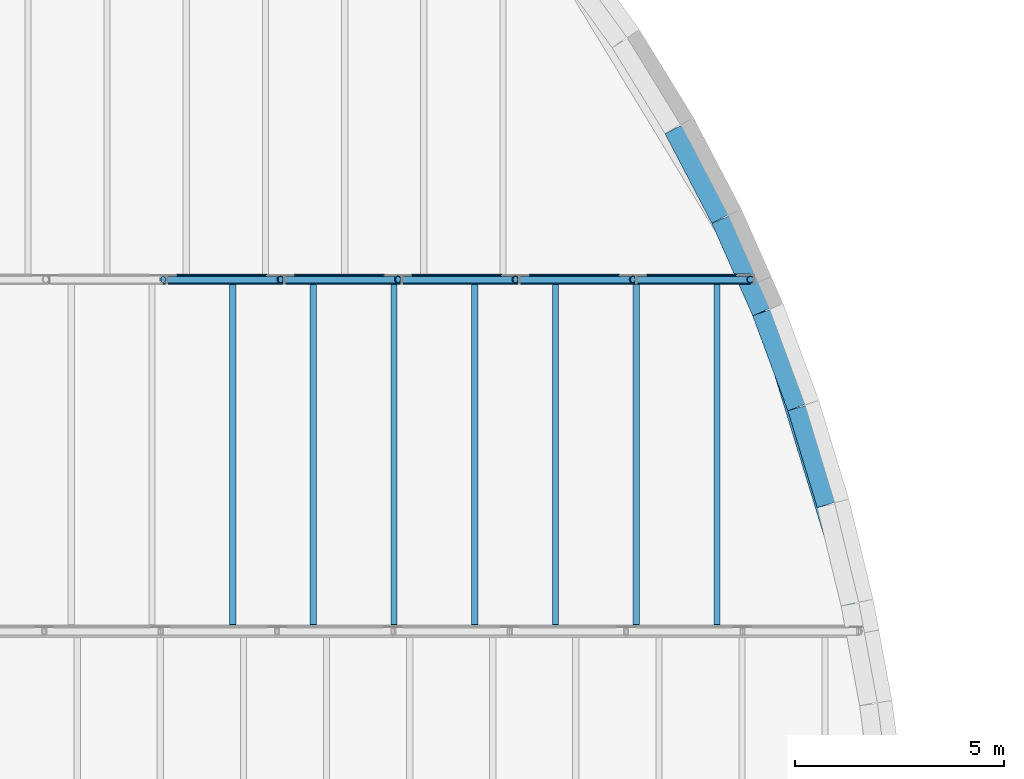
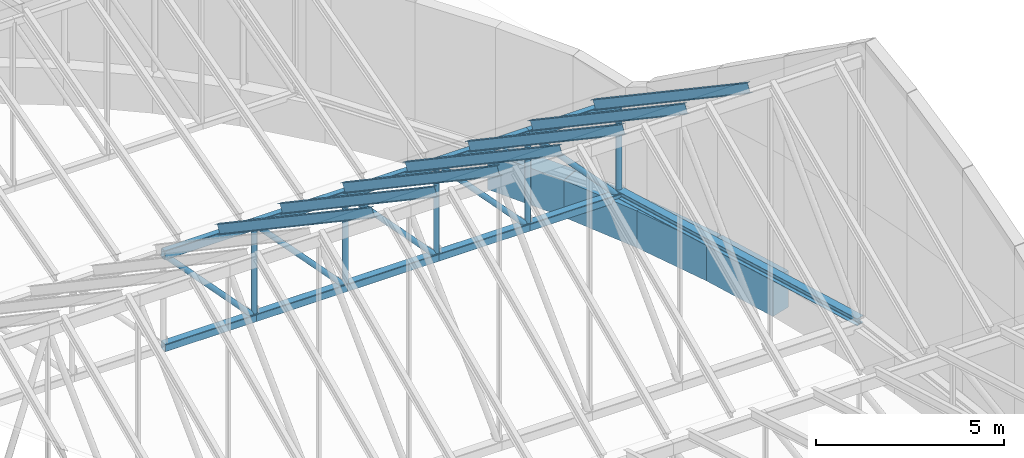
# One storey, part 33 of 68: 17 members, 15 beams.
"""IFC4 building model written with IfcOpenShell, lengths in metres."""

from ifc_helpers import new_model, si_unit, direction, frame, origin, origin_2d, place, context, subcontext, project, spatial, rectangle, hollow_rectangle, hollow_circle, i_section, extrude, material, material_profile, profile_set, type_object, element, save


model = new_model("IFC4")

# Units and contexts
model_context = context("Model", 3, precision=1e-05, world=origin(), true_north=direction((0.0, 1.0)))
body_context = subcontext(model_context, "Body", "Model", "MODEL_VIEW")
ifc_project = project(units=[si_unit("LENGTHUNIT", "METRE"), si_unit("AREAUNIT", "SQUARE_METRE"), si_unit("VOLUMEUNIT", "CUBIC_METRE"), si_unit("PLANEANGLEUNIT", "RADIAN"), si_unit("MASSUNIT", "GRAM", prefix="KILO")], contexts=[model_context])

# Site, building, storey
site_placement = place(None, origin())
site = spatial("IfcSite", under=ifc_project, at=site_placement, CompositionType="ELEMENT")
building_placement = place(site_placement, origin())
building = spatial("IfcBuilding", under=site, at=building_placement, Name="Larchfold Concert Hall", CompositionType="ELEMENT")
storey_placement = place(building_placement, frame((0.0, 0.0, 28.800048828125)))
storey = spatial("IfcBuildingStorey", under=building, at=storey_placement, Name="L06", CompositionType="ELEMENT", Elevation=28.800048828125)

# Beams
ifc_material_1 = material(Name="Concrete C40/50", Category="concrete")
ifc_material_profile_1 = material_profile(ifc_material_1, rectangle(XDim=0.60009765625, YDim=1.199951171875, at=origin_2d()))
ifc_profile_set_1 = profile_set([ifc_material_profile_1], Name="Concrete C40/50")
beam_type_1 = type_object("IfcBeamType", Name="Beam RC 600x1200", PredefinedType="BEAM", material=ifc_profile_set_1)
beam_1_placement = place(storey_placement, frame((65.512451171875, 96.639404296875, -0.60009765625), z_axis=(-0.290562544649, 0.956856001521, 0.0), x_axis=(-0.956856001521, -0.290562544649, 0.0)))
element("IfcBeam", 1, at=beam_1_placement, inside=storey, type_object=beam_type_1, Name="Beam RB06", PredefinedType="BEAM", context=body_context, shape_type="SweptSolid", body=[
    extrude(rectangle(XDim=0.60009765625, YDim=1.199951171875, at=origin_2d()), origin(), (0.0, 0.0, 1.0), 2.41650390625),
])
beam_2_placement = place(storey_placement, frame((64.804443359375, 98.968505859375, -0.60009765625), z_axis=(-0.346567014647, 0.938025215204, 0.0), x_axis=(-0.938025215204, -0.346567014647, 0.0)))
element("IfcBeam", 2, at=beam_2_placement, inside=storey, type_object=beam_type_1, Name="Beam RB07", PredefinedType="BEAM", context=body_context, shape_type="SweptSolid", body=[
    extrude(rectangle(XDim=0.60009765625, YDim=1.199951171875, at=origin_2d()), origin(), (0.0, 0.0, 1.0), 2.41552734375),
])
beam_3_placement = place(storey_placement, frame((63.96044921875, 101.251708984375, -0.60009765625), z_axis=(-0.404157946106, 0.914689212027, 0.0), x_axis=(-0.914689212027, -0.404157946106, 0.0)))
element("IfcBeam", 3, at=beam_3_placement, inside=storey, type_object=beam_type_1, Name="Beam RB08", PredefinedType="BEAM", context=body_context, shape_type="SweptSolid", body=[
    extrude(rectangle(XDim=0.60009765625, YDim=1.199951171875, at=origin_2d()), origin(), (0.0, 0.0, 1.0), 2.41455078125),
])
beam_4_placement = place(storey_placement, frame((62.97607421875, 103.47802734375, -0.60009765625), z_axis=(-0.463125995803, 0.886292452868, 0.0), x_axis=(-0.886292452868, -0.463125995803, 0.0)))
element("IfcBeam", 4, at=beam_4_placement, inside=storey, type_object=beam_type_1, Name="Beam RB09", PredefinedType="BEAM", context=body_context, shape_type="SweptSolid", body=[
    extrude(rectangle(XDim=0.60009765625, YDim=1.199951171875, at=origin_2d()), origin(), (0.0, 0.0, 1.0), 2.413330078125),
])

# Members
ifc_material_2 = material(Name="Steel S355", Category="steel")
ifc_material_profile_2 = material_profile(ifc_material_2, i_section(OverallWidth=0.14990234375, OverallDepth=0.300048828125, WebThickness=0.007080078125, FlangeThickness=0.0107421875, FilletRadius=0.014892578125, at=origin_2d()))
ifc_profile_set_2 = profile_set([ifc_material_profile_2], Name="Steel S355")
member_type_1 = type_object("IfcMemberType", Name="Rafter IPE 300", PredefinedType="RAFTER", material=ifc_profile_set_2)
for number, where, z_axis, x_axis, name in (
    (5, (51.27001953125, 93.68017578125, 8.82470703125), (0.0, 0.829762477802, -0.558116681736), (-1.0, 0.0, 0.0), "Member RF0105"),
    (6, (53.196533203125, 93.68017578125, 8.82470703125), (0.0, 0.829762477802, -0.558116681736), (-1.0, 0.0, 0.0), "Member RF0106"),
    (7, (55.123291015625, 93.68017578125, 8.82470703125), (0.0, 0.829762477802, -0.558116681736), (-1.0, 0.0, 0.0), "Member RF0107"),
    (8, (57.050048828125, 93.68017578125, 8.82470703125), (0.0, 0.829762477802, -0.558116681736), (-1.0, 0.0, 0.0), "Member RF0108"),
    (9, (58.9765625, 93.68017578125, 8.82470703125), (0.0, 0.829762477802, -0.558116681736), (-1.0, 0.0, 0.0), "Member RF0109"),
    (10, (60.9033203125, 93.68017578125, 8.82470703125), (0.0, 0.829762477802, -0.558116681736), (-1.0, 0.0, 0.0), "Member RF0110"),
    (11, (62.829833984375, 93.68017578125, 8.82470703125), (0.0, 0.829762477802, -0.558116681736), (-1.0, 0.0, 0.0), "Member RF0111"),
):
    element("IfcMember", number, at=place(storey_placement, frame(where, z_axis=z_axis, x_axis=x_axis)), inside=storey, type_object=member_type_1, Name=name, PredefinedType="RAFTER", context=body_context, shape_type="SweptSolid", body=[
        extrude(i_section(OverallWidth=0.14990234375, OverallDepth=0.300048828125, WebThickness=0.007080078125, FlangeThickness=0.0107421875, FilletRadius=0.014892578125, at=origin_2d()), origin(), (0.0, 0.0, 1.0), 9.93017578125),
    ])

# Beams
ifc_material_3 = material(Name="Steel S355", Category="steel")
ifc_material_profile_3 = material_profile(ifc_material_3, i_section(OverallWidth=0.239990234375, OverallDepth=0.22998046875, WebThickness=0.007568359375, FlangeThickness=0.011962890625, FilletRadius=0.02099609375, at=origin_2d()))
ifc_profile_set_3 = profile_set([ifc_material_profile_3], Name="Steel S355")
beam_type_2 = type_object("IfcBeamType", Name="Steel beam HEA 240", PredefinedType="BEAM", material=ifc_profile_set_3)
beam_5_placement = place(storey_placement, frame((66.212646484375, 93.60009765625, 0.114990234375), z_axis=(-0.293896480937, 0.955837255234, 0.0), x_axis=(-0.955837255234, -0.293896480937, 0.0)))
element("IfcBeam", 12, at=beam_5_placement, inside=storey, type_object=beam_type_2, Name="Beam EM15", PredefinedType="BEAM", context=body_context, shape_type="SweptSolid", body=[
    extrude(i_section(OverallWidth=0.239990234375, OverallDepth=0.22998046875, WebThickness=0.007568359375, FlangeThickness=0.011962890625, FilletRadius=0.02099609375, at=origin_2d()), origin(), (0.0, 0.0, 1.0), 8.7880859375),
])
ifc_material_4 = material(Name="Steel S355J2H", Category="steel")
ifc_material_profile_4 = material_profile(ifc_material_4, hollow_rectangle(XDim=0.199951171875, YDim=0.300048828125, WallThickness=0.012451171875, InnerFilletRadius=0.018798828125, OuterFilletRadius=0.03125, at=origin_2d()))
ifc_profile_set_4 = profile_set([ifc_material_profile_4], Name="Steel S355J2H")
beam_type_3 = type_object("IfcBeamType", Name="Truss chord RHS 300x200x12.5", PredefinedType="BEAM", material=ifc_profile_set_4)
for number, where, z_axis, x_axis, name in (
    (13, (49.610107421875, 102.0, 3.0), (1.0, 0.0, 0.0), (0.0, 1.0, 0.0), "Beam FT6T11"),
    (14, (52.4140625, 102.0, 3.0), (1.0, 0.0, 0.0), (0.0, 1.0, 0.0), "Beam FT6T12"),
    (15, (55.218017578125, 102.0, 3.0), (1.0, 0.0, 0.0), (0.0, 1.0, 0.0), "Beam FT6T13"),
    (16, (58.02197265625, 102.0, 3.0), (1.0, 0.0, 0.0), (0.0, 1.0, 0.0), "Beam FT6T14"),
    (17, (60.825927734375, 102.0, 3.0), (1.0, 0.0, 0.0), (0.0, 1.0, 0.0), "Beam FT6T15"),
):
    element("IfcBeam", number, at=place(storey_placement, frame(where, z_axis=z_axis, x_axis=x_axis)), inside=storey, type_object=beam_type_3, Name=name, PredefinedType="BEAM", context=body_context, shape_type="SweptSolid", body=[
        extrude(hollow_rectangle(XDim=0.199951171875, YDim=0.300048828125, WallThickness=0.012451171875, InnerFilletRadius=0.018798828125, OuterFilletRadius=0.03125, at=origin_2d()), origin(), (0.0, 0.0, 1.0), 2.803955078125),
    ])

# Members
ifc_material_5 = material(Name="Steel S355J2H", Category="steel")
ifc_material_profile_5 = material_profile(ifc_material_5, hollow_circle(Radius=0.084228515625, WallThickness=0.008056640625, at=origin_2d()))
ifc_profile_set_5 = profile_set([ifc_material_profile_5], Name="Steel S355J2H")
member_type_2 = type_object("IfcMemberType", Name="Truss post CHS 168.3x8", PredefinedType="POST", material=ifc_profile_set_5)
for number, where, z_axis, x_axis, name in (
    (18, (52.4140625, 102.0, 3.0), (0.0, 0.0, -1.0), (1.0, 0.0, 0.0), "Member FT6V12"),
    (19, (55.218017578125, 102.0, 3.0), (0.0, 0.0, -1.0), (1.0, 0.0, 0.0), "Member FT6V13"),
    (20, (58.02197265625, 102.0, 3.0), (0.0, 0.0, -1.0), (1.0, 0.0, 0.0), "Member FT6V14"),
    (21, (60.825927734375, 102.0, 3.0), (0.0, 0.0, -1.0), (1.0, 0.0, 0.0), "Member FT6V15"),
    (22, (63.6298828125, 102.0, 3.0), (0.0, 0.0, -1.0), (1.0, 0.0, 0.0), "Member FT6V16"),
):
    element("IfcMember", number, at=place(storey_placement, frame(where, z_axis=z_axis, x_axis=x_axis)), inside=storey, type_object=member_type_2, Name=name, PredefinedType="POST", context=body_context, shape_type="SweptSolid", body=[
        extrude(hollow_circle(Radius=0.084228515625, WallThickness=0.008056640625, at=origin_2d()), origin(), (0.0, 0.0, 1.0), 3.0),
    ])

# Beams
ifc_material_6 = material(Name="Steel S355J2H", Category="steel")
ifc_material_profile_6 = material_profile(ifc_material_6, hollow_rectangle(XDim=0.25, YDim=0.25, WallThickness=0.012451171875, InnerFilletRadius=0.018798828125, OuterFilletRadius=0.03125, at=origin_2d()))
ifc_profile_set_6 = profile_set([ifc_material_profile_6], Name="Steel S355J2H")
beam_type_4 = type_object("IfcBeamType", Name="Truss tie SHS 250x250x12.5", PredefinedType="BEAM", material=ifc_profile_set_6)
for number, where, z_axis, x_axis, name in (
    (23, (49.610107421875, 102.0, 0.0), (1.0, 0.0, 0.0), (0.0, 1.0, 0.0), "Beam FT6B11"),
    (24, (52.4140625, 102.0, 0.0), (1.0, 0.0, 0.0), (0.0, 1.0, 0.0), "Beam FT6B12"),
    (25, (55.218017578125, 102.0, 0.0), (1.0, 0.0, 0.0), (0.0, 1.0, 0.0), "Beam FT6B13"),
    (26, (58.02197265625, 102.0, 0.0), (1.0, 0.0, 0.0), (0.0, 1.0, 0.0), "Beam FT6B14"),
    (27, (60.825927734375, 102.0, 0.0), (1.0, 0.0, 0.0), (0.0, 1.0, 0.0), "Beam FT6B15"),
):
    element("IfcBeam", number, at=place(storey_placement, frame(where, z_axis=z_axis, x_axis=x_axis)), inside=storey, type_object=beam_type_4, Name=name, PredefinedType="BEAM", context=body_context, shape_type="SweptSolid", body=[
        extrude(hollow_rectangle(XDim=0.25, YDim=0.25, WallThickness=0.012451171875, InnerFilletRadius=0.018798828125, OuterFilletRadius=0.03125, at=origin_2d()), origin(), (0.0, 0.0, 1.0), 2.803955078125),
    ])

# Members
ifc_material_7 = material(Name="Steel S355J2H", Category="steel")
ifc_material_profile_7 = material_profile(ifc_material_7, hollow_circle(Radius=0.084228515625, WallThickness=0.008056640625, at=origin_2d()))
ifc_profile_set_7 = profile_set([ifc_material_profile_7], Name="Steel S355J2H")
member_type_3 = type_object("IfcMemberType", Name="Truss web CHS 168.3x8", PredefinedType="BRACE", material=ifc_profile_set_7)
for number, where, z_axis, x_axis, name in (
    (28, (49.610107421875, 102.0, 3.0), (0.682832834154, 0.0, -0.730574650943), (0.0, 1.0, 0.0), "Member FT6D11"),
    (29, (52.4140625, 102.0, 3.0), (0.682832834154, 0.0, -0.730574650943), (0.0, 1.0, 0.0), "Member FT6D12"),
    (30, (55.218017578125, 102.0, 3.0), (0.682832834154, 0.0, -0.730574650943), (0.0, 1.0, 0.0), "Member FT6D13"),
    (31, (58.02197265625, 102.0, 3.0), (0.682832834154, 0.0, -0.730574650943), (0.0, 1.0, 0.0), "Member FT6D14"),
    (32, (60.825927734375, 102.0, 3.0), (0.682832834154, 0.0, -0.730574650943), (0.0, 1.0, 0.0), "Member FT6D15"),
):
    element("IfcMember", number, at=place(storey_placement, frame(where, z_axis=z_axis, x_axis=x_axis)), inside=storey, type_object=member_type_3, Name=name, PredefinedType="BRACE", context=body_context, shape_type="SweptSolid", body=[
        extrude(hollow_circle(Radius=0.084228515625, WallThickness=0.008056640625, at=origin_2d()), origin(), (0.0, 0.0, 1.0), 4.1064453125),
    ])

save(model, "model.ifc")
